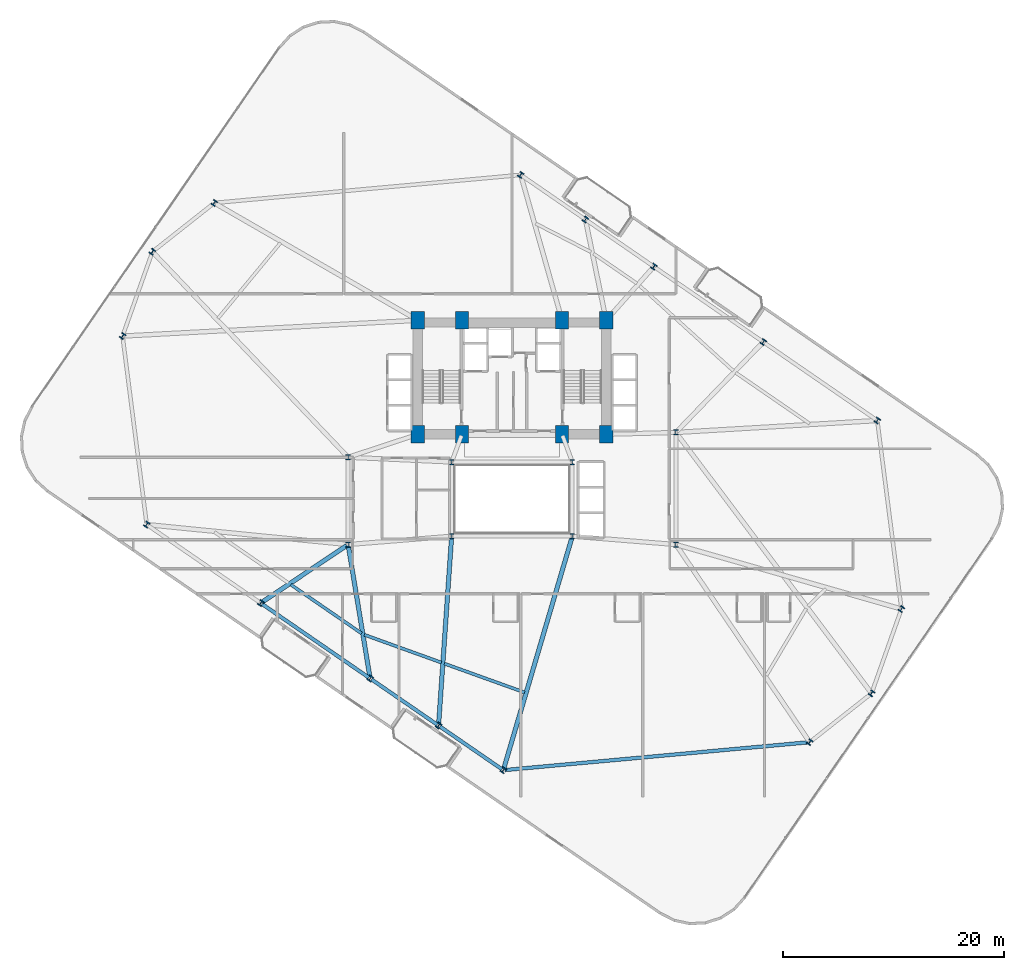
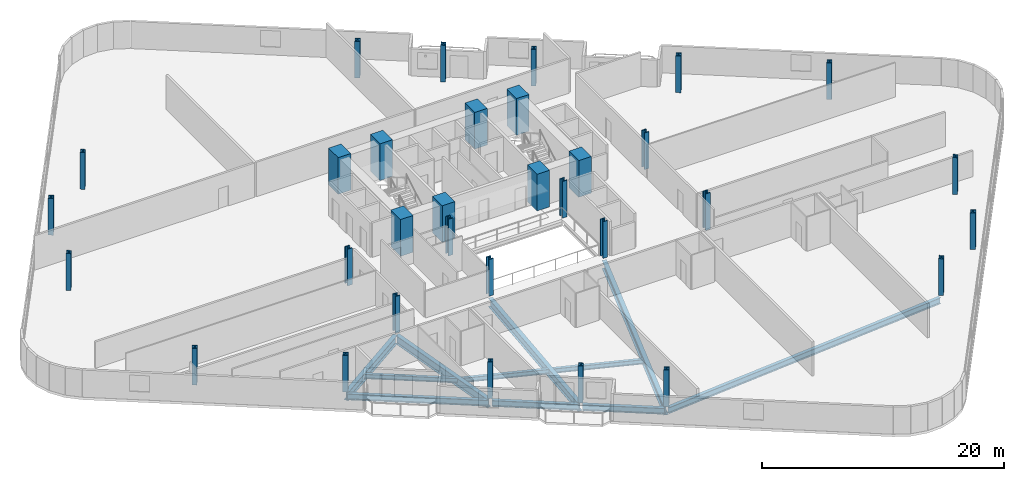
# One storey, part 1 of 24: 32 columns, 11 beams.
"""IFC4 building model written with IfcOpenShell, lengths in metres."""

from ifc_helpers import new_model, si_unit, direction, frame, origin, origin_2d, place, context, subcontext, project, spatial, rectangle, i_section, extrude, material, material_profile, profile_set, type_object, element, save


model = new_model("IFC4")

# Units and contexts
model_context = context("Model", 3, precision=1e-05, world=origin(), true_north=direction((0.0, 1.0)))
body_context = subcontext(model_context, "Body", "Model", "MODEL_VIEW")
ifc_project = project(units=[si_unit("LENGTHUNIT", "METRE"), si_unit("AREAUNIT", "SQUARE_METRE"), si_unit("VOLUMEUNIT", "CUBIC_METRE"), si_unit("PLANEANGLEUNIT", "RADIAN"), si_unit("MASSUNIT", "GRAM", prefix="KILO")], contexts=[model_context])

# Site, building, storey
site_placement = place(None, origin())
site = spatial("IfcSite", under=ifc_project, at=site_placement, CompositionType="ELEMENT")
building_placement = place(site_placement, origin())
building = spatial("IfcBuilding", under=site, at=building_placement, Name="Varnelok Gate Tower", CompositionType="ELEMENT")
storey_placement = place(building_placement, frame((0.0, 0.0, 38.10009765625)))
storey = spatial("IfcBuildingStorey", under=building, at=storey_placement, Name="L08", CompositionType="ELEMENT", Elevation=38.10009765625)

# Columns
ifc_material_1 = material(Name="Concrete C70/85", Category="concrete")
ifc_material_profile_1 = material_profile(ifc_material_1, rectangle(XDim=1.199951171875, YDim=1.60009765625, at=origin_2d()), Name="RC1600X1200")
ifc_profile_set_1 = profile_set([ifc_material_profile_1], Name="Concrete C70/85")
column_type_1 = type_object("IfcColumnType", Name="COL-RC1600X1200", PredefinedType="COLUMN", material=ifc_profile_set_1)
for number, where, z_axis, x_axis, name in (
    (1, (30.699951171875, 28.75, 0.0), (0.0, 0.0, 1.0), (1.0, 0.0, 0.0), "L08 Core Spine Column SC1"),
    (2, (34.679931640625, 28.75, 0.0), (0.0, 0.0, 1.0), (1.0, 0.0, 0.0), "L08 Core Spine Column SC2"),
    (3, (43.719970703125, 28.75, 0.0), (0.0, 0.0, 1.0), (1.0, 0.0, 0.0), "L08 Core Spine Column SC3"),
    (4, (47.699951171875, 28.75, 0.0), (0.0, 0.0, 1.0), (1.0, 0.0, 0.0), "L08 Core Spine Column SC4"),
    (5, (30.699951171875, 39.050048828125, 0.0), (0.0, 0.0, 1.0), (1.0, 0.0, 0.0), "L08 Core Spine Column SC5"),
    (6, (34.679931640625, 39.050048828125, 0.0), (0.0, 0.0, 1.0), (1.0, 0.0, 0.0), "L08 Core Spine Column SC6"),
    (7, (43.719970703125, 39.050048828125, 0.0), (0.0, 0.0, 1.0), (1.0, 0.0, 0.0), "L08 Core Spine Column SC7"),
    (8, (47.699951171875, 39.050048828125, 0.0), (0.0, 0.0, 1.0), (1.0, 0.0, 0.0), "L08 Core Spine Column SC8"),
):
    element("IfcColumn", number, at=place(storey_placement, frame(where, z_axis=z_axis, x_axis=x_axis)), inside=storey, type_object=column_type_1, Name=name, PredefinedType="COLUMN", context=body_context, shape_type="SweptSolid", body=[
        extrude(rectangle(XDim=1.199951171875, YDim=1.60009765625, at=origin_2d()), origin(), (0.0, 0.0, 1.0), 3.699951171875),
    ])
ifc_material_2 = material(Name="Structural Steel ASTM A992 Grade 50", Category="steel")
ifc_material_profile_2 = material_profile(ifc_material_2, i_section(OverallWidth=0.431884765625, OverallDepth=0.498046875, WebThickness=0.0556640625, FlangeThickness=0.0888671875, FilletRadius=0.02490234375, at=origin_2d()), Name="W14X500")
ifc_profile_set_2 = profile_set([ifc_material_profile_2], Name="Structural Steel ASTM A992 Grade 50")
column_type_2 = type_object("IfcColumnType", Name="COL-W14X500", PredefinedType="COLUMN", material=ifc_profile_set_2)
for number, where, z_axis, x_axis, name in (
    (9, (33.75, 19.550048828125, 0.0), (0.0, 0.0, 1.0), (1.0, 0.0, 0.0), "L08 Atrium Spine Column AC1"),
    (10, (44.64990234375, 19.550048828125, 0.0), (0.0, 0.0, 1.0), (1.0, 0.0, 0.0), "L08 Atrium Spine Column AC2"),
    (11, (33.75, 26.25, 0.0), (0.0, 0.0, 1.0), (1.0, 0.0, 0.0), "L08 Atrium Spine Column AC3"),
    (12, (44.64990234375, 26.25, 0.0), (0.0, 0.0, 1.0), (1.0, 0.0, 0.0), "L08 Atrium Spine Column AC4"),
    (13, (24.39990234375, 18.800048828125, 0.0), (0.0, 0.0, 1.0), (1.0, 0.0, 0.0), "L08 Wing Spine Column WS1"),
    (14, (24.39990234375, 26.679931640625, 0.0), (0.0, 0.0, 1.0), (1.0, 0.0, 0.0), "L08 Wing Spine Column WS2"),
    (15, (54.0, 18.800048828125, 0.0), (0.0, 0.0, 1.0), (1.0, 0.0, 0.0), "L08 Wing Spine Column ES1"),
    (16, (54.0, 28.919921875, 0.0), (0.0, 0.0, 1.0), (1.0, 0.0, 0.0), "L08 Wing Spine Column ES2"),
    (17, (6.214599609375, 20.602783203125, 0.0), (0.0, 0.0, 1.0), (0.823532597628, -0.567268949127, 0.0), "L08 B1 Perimeter Column PC01"),
    (18, (16.5087890625, 13.511962890625, 0.0), (0.0, 0.0, 1.0), (0.823532597628, -0.567268949127, 0.0), "L08 B1 Perimeter Column PC02"),
    (19, (26.39111328125, 6.70458984375, 0.0), (0.0, 0.0, 1.0), (0.823532597628, -0.567268949127, 0.0), "L08 B1 Perimeter Column PC03"),
    (20, (32.567626953125, 2.4501953125, 0.0), (0.0, 0.0, 1.0), (0.823532597628, -0.567268949127, 0.0), "L08 B1 Perimeter Column PC04"),
    (21, (38.41455078125, -1.577392578125, 0.0), (0.0, 0.0, 1.0), (0.823532597628, -0.567268949127, 0.0), "L08 B1 Perimeter Column PC05"),
    (22, (66.084716796875, 0.95263671875, 0.0), (0.0, 0.0, 1.0), (0.823532597628, -0.567268949127, 0.0), "L08 B1 Perimeter Column PC06"),
    (23, (71.669921875, 5.362548828125, 0.0), (0.0, 0.0, 1.0), (0.823532597628, -0.567268949127, 0.0), "L08 B1 Perimeter Column PC07"),
    (24, (74.366943359375, 12.976318359375, 0.0), (0.0, 0.0, 1.0), (0.823532597628, -0.567268949127, 0.0), "L08 B1 Perimeter Column PC08"),
    (25, (72.185546875, 29.997314453125, 0.0), (0.0, 0.0, 1.0), (0.823532597628, -0.567268949127, 0.0), "L08 B1 Perimeter Column PC09"),
    (26, (61.891357421875, 37.088134765625, 0.0), (0.0, 0.0, 1.0), (0.823532597628, -0.567268949127, 0.0), "L08 B1 Perimeter Column PC10"),
    (27, (52.0087890625, 43.8955078125, 0.0), (0.0, 0.0, 1.0), (0.823532597628, -0.567268949127, 0.0), "L08 B1 Perimeter Column PC11"),
    (28, (45.83251953125, 48.14990234375, 0.0), (0.0, 0.0, 1.0), (0.823532597628, -0.567268949127, 0.0), "L08 B1 Perimeter Column PC12"),
    (29, (39.9853515625, 52.177490234375, 0.0), (0.0, 0.0, 1.0), (0.823532597628, -0.567268949127, 0.0), "L08 B1 Perimeter Column PC13"),
    (30, (12.315185546875, 49.6474609375, 0.0), (0.0, 0.0, 1.0), (0.823532597628, -0.567268949127, 0.0), "L08 B1 Perimeter Column PC14"),
    (31, (6.72998046875, 45.237548828125, 0.0), (0.0, 0.0, 1.0), (0.823532597628, -0.567268949127, 0.0), "L08 B1 Perimeter Column PC15"),
    (32, (4.033203125, 37.623779296875, 0.0), (0.0, 0.0, 1.0), (0.823532597628, -0.567268949127, 0.0), "L08 B1 Perimeter Column PC16"),
):
    element("IfcColumn", number, at=place(storey_placement, frame(where, z_axis=z_axis, x_axis=x_axis)), inside=storey, type_object=column_type_2, Name=name, PredefinedType="COLUMN", context=body_context, shape_type="SweptSolid", body=[
        extrude(i_section(OverallWidth=0.431884765625, OverallDepth=0.498046875, WebThickness=0.0556640625, FlangeThickness=0.0888671875, FilletRadius=0.02490234375, at=origin_2d()), origin(), (0.0, 0.0, 1.0), 3.699951171875),
    ])

# Beams
ifc_material_profile_3 = material_profile(ifc_material_2, i_section(OverallWidth=0.280029296875, OverallDepth=0.462890625, WebThickness=0.0107421875, FlangeThickness=0.017333984375, FilletRadius=0.014892578125, at=origin_2d()), Name="W18X76")
ifc_profile_set_3 = profile_set([ifc_material_profile_3], Name="Structural Steel ASTM A992 Grade 50")
beam_type_1 = type_object("IfcBeamType", Name="BM-JST-W18X76", PredefinedType="JOIST", material=ifc_profile_set_3)
beam_1_placement = place(storey_placement, frame((19.22802734375, 15.177490234375, -0.481689453125), z_axis=(0.823527524504, -0.567276313964, 0.0), x_axis=(0.567276313964, 0.823527524504, 0.0)))
element("IfcBeam", 33, at=beam_1_placement, inside=storey, type_object=beam_type_1, Name="L08 Sector Floor Joist 2", PredefinedType="JOIST", context=body_context, shape_type="SweptSolid", body=[
    extrude(i_section(OverallWidth=0.280029296875, OverallDepth=0.462890625, WebThickness=0.0107421875, FlangeThickness=0.017333984375, FilletRadius=0.014892578125, at=origin_2d()), origin(), (0.0, 0.0, 1.0), 7.760009765625),
])
beam_2_placement = place(storey_placement, frame((25.86572265625, 10.648681640625, -0.481689453125), z_axis=(0.940777992095, -0.339023258183, 0.0), x_axis=(0.339023258183, 0.940777992095, 0.0)))
element("IfcBeam", 34, at=beam_2_placement, inside=storey, type_object=beam_type_1, Name="L08 Sector Floor Joist 3", PredefinedType="JOIST", context=body_context, shape_type="SweptSolid", body=[
    extrude(i_section(OverallWidth=0.280029296875, OverallDepth=0.462890625, WebThickness=0.0107421875, FlangeThickness=0.017333984375, FilletRadius=0.014892578125, at=origin_2d()), origin(), (0.0, 0.0, 1.0), 7.398681640625),
])
beam_3_placement = place(storey_placement, frame((33.089599609375, 8.0458984375, -0.481689453125), z_axis=(0.941149704194, -0.337989991412, 0.0), x_axis=(0.337989991412, 0.941149704194, 0.0)))
element("IfcBeam", 35, at=beam_3_placement, inside=storey, type_object=beam_type_1, Name="L08 Sector Floor Joist 4", PredefinedType="JOIST", context=body_context, shape_type="SweptSolid", body=[
    extrude(i_section(OverallWidth=0.280029296875, OverallDepth=0.462890625, WebThickness=0.0107421875, FlangeThickness=0.017333984375, FilletRadius=0.014892578125, at=origin_2d()), origin(), (0.0, 0.0, 1.0), 7.704345703125),
])
ifc_material_profile_4 = material_profile(ifc_material_2, i_section(OverallWidth=0.39892578125, OverallDepth=0.85498046875, WebThickness=0.018310546875, FlangeThickness=0.029296875, FilletRadius=0.02392578125, at=origin_2d()), Name="W33X201")
ifc_profile_set_4 = profile_set([ifc_material_profile_4], Name="Structural Steel ASTM A992 Grade 50")
beam_type_2 = type_object("IfcBeamType", Name="BM-PRI-W33X201", PredefinedType="BEAM", material=ifc_profile_set_4)
beam_4_placement = place(storey_placement, frame((24.275390625, 18.716552734375, -0.677490234375), z_axis=(-0.830725059098, -0.556682922485, 0.0), x_axis=(0.556682922485, -0.830725059098, 0.0)))
element("IfcBeam", 36, at=beam_4_placement, inside=storey, type_object=beam_type_2, Name="L08 Radial Floor Girder 2", PredefinedType="BEAM", context=body_context, shape_type="SweptSolid", body=[
    extrude(i_section(OverallWidth=0.39892578125, OverallDepth=0.85498046875, WebThickness=0.018310546875, FlangeThickness=0.029296875, FilletRadius=0.02392578125, at=origin_2d()), origin(), (0.0, 0.0, 1.0), 9.19921875),
])
beam_5_placement = place(storey_placement, frame((24.42431640625, 18.652099609375, -0.677490234375), z_axis=(0.162428802214, -0.986720266444, 0.0), x_axis=(0.986720266444, 0.162428802214, 0.0)))
element("IfcBeam", 37, at=beam_5_placement, inside=storey, type_object=beam_type_2, Name="L08 Radial Floor Girder 3", PredefinedType="BEAM", context=body_context, shape_type="SweptSolid", body=[
    extrude(i_section(OverallWidth=0.39892578125, OverallDepth=0.85498046875, WebThickness=0.018310546875, FlangeThickness=0.029296875, FilletRadius=0.02392578125, at=origin_2d()), origin(), (0.0, 0.0, 1.0), 11.958251953125),
])
beam_6_placement = place(storey_placement, frame((33.73974609375, 19.400390625, -0.677490234375), z_axis=(-0.068990652765, -0.997617306301, 0.0), x_axis=(0.997617306301, -0.068990652765, 0.0)))
element("IfcBeam", 38, at=beam_6_placement, inside=storey, type_object=beam_type_2, Name="L08 Radial Floor Girder 4", PredefinedType="BEAM", context=body_context, shape_type="SweptSolid", body=[
    extrude(i_section(OverallWidth=0.39892578125, OverallDepth=0.85498046875, WebThickness=0.018310546875, FlangeThickness=0.029296875, FilletRadius=0.02392578125, at=origin_2d()), origin(), (0.0, 0.0, 1.0), 16.8408203125),
])
beam_7_placement = place(storey_placement, frame((44.607421875, 19.406005859375, -0.677490234375), z_axis=(-0.283059829362, -0.959102253673, 0.0), x_axis=(0.959102253673, -0.283059829362, 0.0)))
element("IfcBeam", 39, at=beam_7_placement, inside=storey, type_object=beam_type_2, Name="L08 Radial Floor Girder 5", PredefinedType="BEAM", context=body_context, shape_type="SweptSolid", body=[
    extrude(i_section(OverallWidth=0.39892578125, OverallDepth=0.85498046875, WebThickness=0.018310546875, FlangeThickness=0.029296875, FilletRadius=0.02392578125, at=origin_2d()), origin(), (0.0, 0.0, 1.0), 21.728271484375),
])
ifc_material_profile_5 = material_profile(ifc_material_2, i_section(OverallWidth=0.323974609375, OverallDepth=0.611083984375, WebThickness=0.0126953125, FlangeThickness=0.01904296875, FilletRadius=0.01806640625, at=origin_2d()), Name="W24X104")
ifc_profile_set_5 = profile_set([ifc_material_profile_5], Name="Structural Steel ASTM A992 Grade 50")
beam_type_3 = type_object("IfcBeamType", Name="BM-SPN-W24X104", PredefinedType="SPANDREL", material=ifc_profile_set_5)
beam_8_placement = place(storey_placement, frame((16.632080078125, 13.4267578125, -0.5556640625), z_axis=(0.823540527698, -0.567257436478, 0.0), x_axis=(0.567257436478, 0.823540527698, 0.0)))
element("IfcBeam", 40, at=beam_8_placement, inside=storey, type_object=beam_type_3, Name="L08 Perimeter Spandrel Beam 2", PredefinedType="SPANDREL", context=body_context, shape_type="SweptSolid", body=[
    extrude(i_section(OverallWidth=0.323974609375, OverallDepth=0.611083984375, WebThickness=0.0126953125, FlangeThickness=0.01904296875, FilletRadius=0.01806640625, at=origin_2d()), origin(), (0.0, 0.0, 1.0), 11.7001953125),
])
beam_9_placement = place(storey_placement, frame((26.5146484375, 6.619384765625, -0.5556640625), z_axis=(0.823539986654, -0.56725822196, 0.0), x_axis=(0.56725822196, 0.823539986654, 0.0)))
element("IfcBeam", 41, at=beam_9_placement, inside=storey, type_object=beam_type_3, Name="L08 Perimeter Spandrel Beam 3", PredefinedType="SPANDREL", context=body_context, shape_type="SweptSolid", body=[
    extrude(i_section(OverallWidth=0.323974609375, OverallDepth=0.611083984375, WebThickness=0.0126953125, FlangeThickness=0.01904296875, FilletRadius=0.01806640625, at=origin_2d()), origin(), (0.0, 0.0, 1.0), 7.199951171875),
])
beam_10_placement = place(storey_placement, frame((32.691162109375, 2.364990234375, -0.5556640625), z_axis=(0.823525119645, -0.567279805135, 0.0), x_axis=(0.567279805135, 0.823525119645, 0.0)))
element("IfcBeam", 42, at=beam_10_placement, inside=storey, type_object=beam_type_3, Name="L08 Perimeter Spandrel Beam 4", PredefinedType="SPANDREL", context=body_context, shape_type="SweptSolid", body=[
    extrude(i_section(OverallWidth=0.323974609375, OverallDepth=0.611083984375, WebThickness=0.0126953125, FlangeThickness=0.01904296875, FilletRadius=0.01806640625, at=origin_2d()), origin(), (0.0, 0.0, 1.0), 6.7998046875),
])
beam_11_placement = place(storey_placement, frame((38.56396484375, -1.563720703125, -0.5556640625), z_axis=(0.995845891963, 0.091054705864, 0.0), x_axis=(-0.091054705864, 0.995845891963, 0.0)))
element("IfcBeam", 43, at=beam_11_placement, inside=storey, type_object=beam_type_3, Name="L08 Perimeter Spandrel Beam 5", PredefinedType="SPANDREL", context=body_context, shape_type="SweptSolid", body=[
    extrude(i_section(OverallWidth=0.323974609375, OverallDepth=0.611083984375, WebThickness=0.0126953125, FlangeThickness=0.01904296875, FilletRadius=0.01806640625, at=origin_2d()), origin(), (0.0, 0.0, 1.0), 27.485595703125),
])

save(model, "model.ifc")
